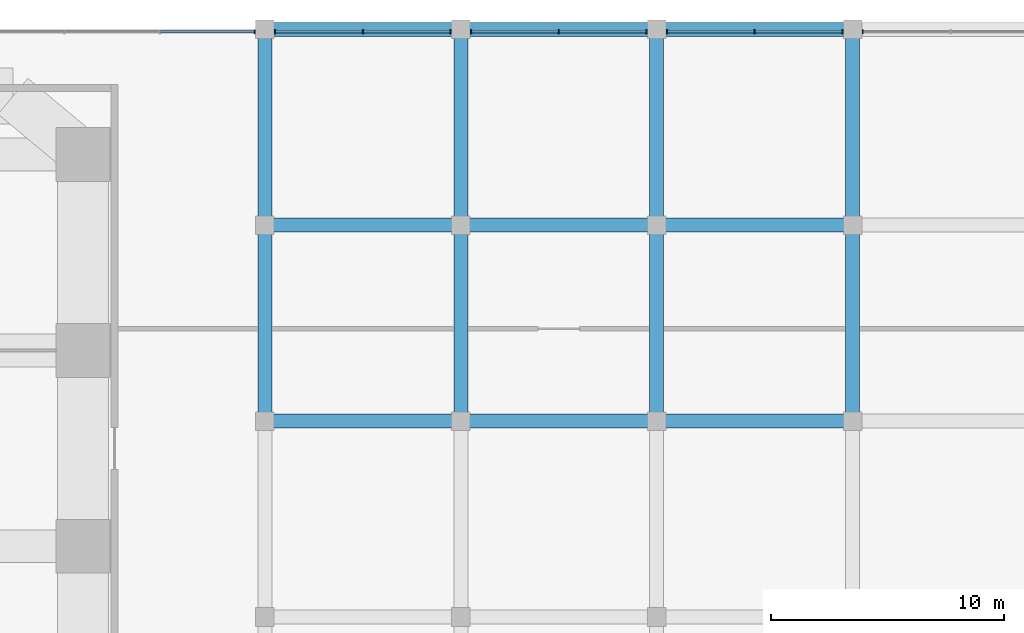
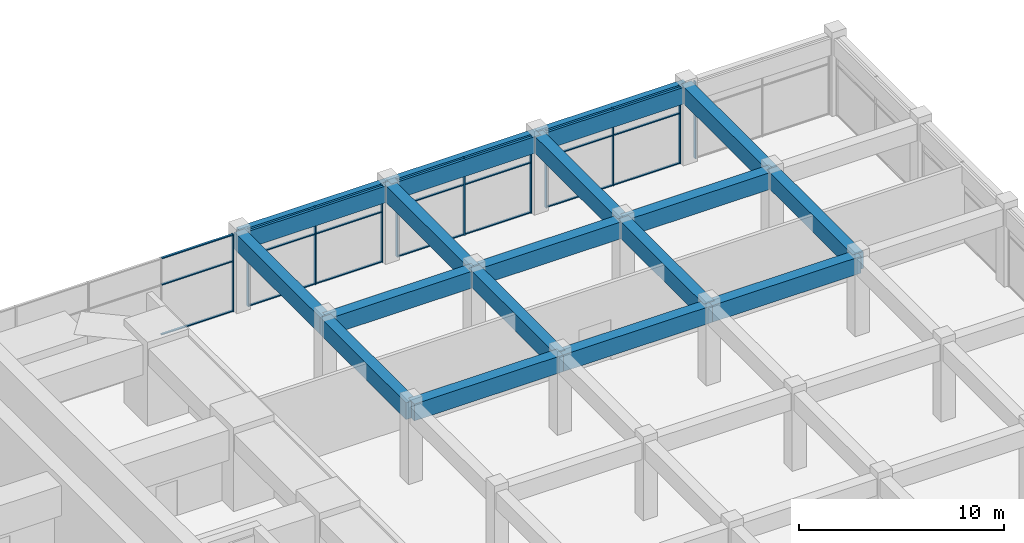
# One storey, part 21 of 33: 32 members, 17 beams, 5 elements without a shape of their own.
"""IFC4 building model written with IfcOpenShell, lengths in metres."""

from ifc_helpers import new_model, si_unit, direction, frame, origin, origin_2d, place, context, subcontext, project, spatial, rectangle, extrude, material, material_profile, profile_set, type_object, element, aggregate, save


model = new_model("IFC4")

# Units and contexts
model_context = context("Model", 3, precision=1e-05, world=origin(), true_north=direction((0.0, 1.0)))
body_context = subcontext(model_context, "Body", "Model", "MODEL_VIEW")
ifc_project = project(units=[si_unit("LENGTHUNIT", "METRE"), si_unit("AREAUNIT", "SQUARE_METRE"), si_unit("VOLUMEUNIT", "CUBIC_METRE"), si_unit("PLANEANGLEUNIT", "RADIAN"), si_unit("MASSUNIT", "GRAM", prefix="KILO")], contexts=[model_context])

# Site, building, storey
site_placement = place(None, origin())
site = spatial("IfcSite", under=ifc_project, at=site_placement, CompositionType="ELEMENT")
building_placement = place(site_placement, origin())
building = spatial("IfcBuilding", under=site, at=building_placement, Name="Impinga Residences", CompositionType="ELEMENT")
storey_placement = place(building_placement, frame((0.0, 0.0, 21.0)))
storey = spatial("IfcBuildingStorey", under=building, at=storey_placement, Name="L04", CompositionType="ELEMENT", Elevation=21.0)

# Curtain wall, member
ifc_material_1 = material(Name="Aluminium stick curtain wall", Category="aluminium")
curtain_wall_type = type_object("IfcCurtainWallType", Name="CW1 podium amenity curtain wall", PredefinedType="USERDEFINED", material=ifc_material_1)
curtain_wall_1_placement = place(storey_placement, origin())
curtain_wall_1 = element("IfcCurtainWall", 1, at=curtain_wall_1_placement, inside=storey, type_object=curtain_wall_type, Name="Curtain wall CW1 L04", ObjectType="STICK CURTAIN WALL", PredefinedType="USERDEFINED")
ifc_material_2 = material(Name="Aluminium mullion", Category="aluminium")
ifc_material_profile_1 = material_profile(ifc_material_2, rectangle(XDim=0.06005859375, YDim=0.179931640625, at=origin_2d()), Name="60x180 mullion")
ifc_profile_set_1 = profile_set([ifc_material_profile_1], Name="Aluminium mullion")
member_type_1 = type_object("IfcMemberType", Name="CW1-M mullion 60x180", PredefinedType="MULLION", material=ifc_profile_set_1)
member_1_placement = place(storey_placement, frame((16.366943359375, 50.300048828125, 0.0), z_axis=(0.0, 0.0, 1.0), x_axis=(1.0, 0.0, 0.0)))
member_1 = element("IfcMember", 2, at=member_1_placement, type_object=member_type_1, Name="CW1 mullion 9", PredefinedType="MULLION", context=body_context, shape_type="SweptSolid", body=[
    extrude(rectangle(XDim=0.06005859375, YDim=0.179931640625, at=origin_2d()), origin(), (0.0, 0.0, 1.0), 4.60009765625),
])

# Curtain wall, members
curtain_wall_2_placement = place(storey_placement, origin())
curtain_wall_2 = element("IfcCurtainWall", 3, at=curtain_wall_2_placement, inside=storey, type_object=curtain_wall_type, Name="Curtain wall CW1 L04", ObjectType="STICK CURTAIN WALL", PredefinedType="USERDEFINED")
member_2_placement = place(storey_placement, frame((17.23291015625, 50.300048828125, 0.0), z_axis=(0.0, 0.0, 1.0), x_axis=(1.0, 0.0, 0.0)))
member_2 = element("IfcMember", 4, at=member_2_placement, type_object=member_type_1, Name="CW1 mullion 1", PredefinedType="MULLION", context=body_context, shape_type="SweptSolid", body=[
    extrude(rectangle(XDim=0.06005859375, YDim=0.179931640625, at=origin_2d()), origin(), (0.0, 0.0, 1.0), 4.60009765625),
])
member_3_placement = place(storey_placement, frame((21.0, 50.300048828125, 0.0), z_axis=(0.0, 0.0, 1.0), x_axis=(1.0, 0.0, 0.0)))
member_3 = element("IfcMember", 5, at=member_3_placement, type_object=member_type_1, Name="CW1 mullion 2", PredefinedType="MULLION", context=body_context, shape_type="SweptSolid", body=[
    extrude(rectangle(XDim=0.06005859375, YDim=0.179931640625, at=origin_2d()), origin(), (0.0, 0.0, 1.0), 4.60009765625),
])
member_4_placement = place(storey_placement, frame((24.76708984375, 50.300048828125, 0.0), z_axis=(0.0, 0.0, 1.0), x_axis=(1.0, 0.0, 0.0)))
member_4 = element("IfcMember", 6, at=member_4_placement, type_object=member_type_1, Name="CW1 mullion 3", PredefinedType="MULLION", context=body_context, shape_type="SweptSolid", body=[
    extrude(rectangle(XDim=0.06005859375, YDim=0.179931640625, at=origin_2d()), origin(), (0.0, 0.0, 1.0), 4.60009765625),
])

curtain_wall_3_placement = place(storey_placement, origin())
curtain_wall_3 = element("IfcCurtainWall", 7, at=curtain_wall_3_placement, inside=storey, type_object=curtain_wall_type, Name="Curtain wall CW1 L04", ObjectType="STICK CURTAIN WALL", PredefinedType="USERDEFINED")
member_5_placement = place(storey_placement, frame((25.633056640625, 50.300048828125, 0.0), z_axis=(0.0, 0.0, 1.0), x_axis=(1.0, 0.0, 0.0)))
member_5 = element("IfcMember", 8, at=member_5_placement, type_object=member_type_1, Name="CW1 mullion 1", PredefinedType="MULLION", context=body_context, shape_type="SweptSolid", body=[
    extrude(rectangle(XDim=0.06005859375, YDim=0.179931640625, at=origin_2d()), origin(), (0.0, 0.0, 1.0), 4.60009765625),
])
member_6_placement = place(storey_placement, frame((29.39990234375, 50.300048828125, 0.0), z_axis=(0.0, 0.0, 1.0), x_axis=(1.0, 0.0, 0.0)))
member_6 = element("IfcMember", 9, at=member_6_placement, type_object=member_type_1, Name="CW1 mullion 2", PredefinedType="MULLION", context=body_context, shape_type="SweptSolid", body=[
    extrude(rectangle(XDim=0.06005859375, YDim=0.179931640625, at=origin_2d()), origin(), (0.0, 0.0, 1.0), 4.60009765625),
])
member_7_placement = place(storey_placement, frame((33.1669921875, 50.300048828125, 0.0), z_axis=(0.0, 0.0, 1.0), x_axis=(1.0, 0.0, 0.0)))
member_7 = element("IfcMember", 10, at=member_7_placement, type_object=member_type_1, Name="CW1 mullion 3", PredefinedType="MULLION", context=body_context, shape_type="SweptSolid", body=[
    extrude(rectangle(XDim=0.06005859375, YDim=0.179931640625, at=origin_2d()), origin(), (0.0, 0.0, 1.0), 4.60009765625),
])

curtain_wall_4_placement = place(storey_placement, origin())
curtain_wall_4 = element("IfcCurtainWall", 11, at=curtain_wall_4_placement, inside=storey, type_object=curtain_wall_type, Name="Curtain wall CW1 L04", ObjectType="STICK CURTAIN WALL", PredefinedType="USERDEFINED")
member_8_placement = place(storey_placement, frame((34.032958984375, 50.300048828125, 0.0), z_axis=(0.0, 0.0, 1.0), x_axis=(1.0, 0.0, 0.0)))
member_8 = element("IfcMember", 12, at=member_8_placement, type_object=member_type_1, Name="CW1 mullion 1", PredefinedType="MULLION", context=body_context, shape_type="SweptSolid", body=[
    extrude(rectangle(XDim=0.06005859375, YDim=0.179931640625, at=origin_2d()), origin(), (0.0, 0.0, 1.0), 4.60009765625),
])
member_9_placement = place(storey_placement, frame((37.800048828125, 50.300048828125, 0.0), z_axis=(0.0, 0.0, 1.0), x_axis=(1.0, 0.0, 0.0)))
member_9 = element("IfcMember", 13, at=member_9_placement, type_object=member_type_1, Name="CW1 mullion 2", PredefinedType="MULLION", context=body_context, shape_type="SweptSolid", body=[
    extrude(rectangle(XDim=0.06005859375, YDim=0.179931640625, at=origin_2d()), origin(), (0.0, 0.0, 1.0), 4.60009765625),
])
member_10_placement = place(storey_placement, frame((41.56689453125, 50.300048828125, 0.0), z_axis=(0.0, 0.0, 1.0), x_axis=(1.0, 0.0, 0.0)))
member_10 = element("IfcMember", 14, at=member_10_placement, type_object=member_type_1, Name="CW1 mullion 3", PredefinedType="MULLION", context=body_context, shape_type="SweptSolid", body=[
    extrude(rectangle(XDim=0.06005859375, YDim=0.179931640625, at=origin_2d()), origin(), (0.0, 0.0, 1.0), 4.60009765625),
])

# Curtain wall, member
curtain_wall_5_placement = place(storey_placement, origin())
curtain_wall_5 = element("IfcCurtainWall", 15, at=curtain_wall_5_placement, inside=storey, type_object=curtain_wall_type, Name="Curtain wall CW1 L04", ObjectType="STICK CURTAIN WALL", PredefinedType="USERDEFINED")
member_11_placement = place(storey_placement, frame((42.43310546875, 50.300048828125, 0.0), z_axis=(0.0, 0.0, 1.0), x_axis=(1.0, 0.0, 0.0)))
member_11 = element("IfcMember", 16, at=member_11_placement, type_object=member_type_1, Name="CW1 mullion 1", PredefinedType="MULLION", context=body_context, shape_type="SweptSolid", body=[
    extrude(rectangle(XDim=0.06005859375, YDim=0.179931640625, at=origin_2d()), origin(), (0.0, 0.0, 1.0), 4.60009765625),
])
aggregate(curtain_wall_5, [member_11])

# Member
ifc_material_3 = material(Name="Aluminium transom", Category="aluminium")
ifc_material_profile_2 = material_profile(ifc_material_3, rectangle(XDim=0.06005859375, YDim=0.1201171875, at=origin_2d()), Name="60x120 transom")
ifc_profile_set_2 = profile_set([ifc_material_profile_2], Name="Aluminium transom")
member_type_2 = type_object("IfcMemberType", Name="CW1-T transom 60x120", PredefinedType="USERDEFINED", material=ifc_profile_set_2)
member_12_placement = place(storey_placement, frame((12.32763671875, 50.300048828125, 0.030029296875), z_axis=(1.0, 0.0, 0.0), x_axis=(0.0, 0.0, 1.0)))
member_12 = element("IfcMember", 17, at=member_12_placement, type_object=member_type_2, Name="CW1 transom 8.1", ObjectType="TRANSOM", PredefinedType="USERDEFINED", context=body_context, shape_type="SweptSolid", body=[
    extrude(rectangle(XDim=0.06005859375, YDim=0.1201171875, at=origin_2d()), origin(), (0.0, 0.0, 1.0), 4.00927734375),
])

member_13_placement = place(storey_placement, frame((12.32763671875, 50.300048828125, 3.0), z_axis=(1.0, 0.0, 0.0), x_axis=(0.0, 0.0, 1.0)))
member_13 = element("IfcMember", 18, at=member_13_placement, type_object=member_type_2, Name="CW1 transom 8.2", ObjectType="TRANSOM", PredefinedType="USERDEFINED", context=body_context, shape_type="SweptSolid", body=[
    extrude(rectangle(XDim=0.06005859375, YDim=0.1201171875, at=origin_2d()), origin(), (0.0, 0.0, 1.0), 4.00927734375),
])

member_14_placement = place(storey_placement, frame((12.32763671875, 50.300048828125, 4.570068359375), z_axis=(1.0, 0.0, 0.0), x_axis=(0.0, 0.0, 1.0)))
member_14 = element("IfcMember", 19, at=member_14_placement, type_object=member_type_2, Name="CW1 transom 8.3", ObjectType="TRANSOM", PredefinedType="USERDEFINED", context=body_context, shape_type="SweptSolid", body=[
    extrude(rectangle(XDim=0.06005859375, YDim=0.1201171875, at=origin_2d()), origin(), (0.0, 0.0, 1.0), 4.00927734375),
])

aggregate(curtain_wall_1, [member_1, member_12, member_13, member_14])

member_15_placement = place(storey_placement, frame((17.262939453125, 50.300048828125, 0.030029296875), z_axis=(1.0, 0.0, 0.0), x_axis=(0.0, 0.0, 1.0)))
member_15 = element("IfcMember", 20, at=member_15_placement, type_object=member_type_2, Name="CW1 transom 1.1", ObjectType="TRANSOM", PredefinedType="USERDEFINED", context=body_context, shape_type="SweptSolid", body=[
    extrude(rectangle(XDim=0.06005859375, YDim=0.1201171875, at=origin_2d()), origin(), (0.0, 0.0, 1.0), 3.70703125),
])

member_16_placement = place(storey_placement, frame((17.262939453125, 50.300048828125, 3.0), z_axis=(1.0, 0.0, 0.0), x_axis=(0.0, 0.0, 1.0)))
member_16 = element("IfcMember", 21, at=member_16_placement, type_object=member_type_2, Name="CW1 transom 1.2", ObjectType="TRANSOM", PredefinedType="USERDEFINED", context=body_context, shape_type="SweptSolid", body=[
    extrude(rectangle(XDim=0.06005859375, YDim=0.1201171875, at=origin_2d()), origin(), (0.0, 0.0, 1.0), 3.70703125),
])

member_17_placement = place(storey_placement, frame((17.262939453125, 50.300048828125, 4.570068359375), z_axis=(1.0, 0.0, 0.0), x_axis=(0.0, 0.0, 1.0)))
member_17 = element("IfcMember", 22, at=member_17_placement, type_object=member_type_2, Name="CW1 transom 1.3", ObjectType="TRANSOM", PredefinedType="USERDEFINED", context=body_context, shape_type="SweptSolid", body=[
    extrude(rectangle(XDim=0.06005859375, YDim=0.1201171875, at=origin_2d()), origin(), (0.0, 0.0, 1.0), 3.70703125),
])

member_18_placement = place(storey_placement, frame((21.030029296875, 50.300048828125, 0.030029296875), z_axis=(1.0, 0.0, 0.0), x_axis=(0.0, 0.0, 1.0)))
member_18 = element("IfcMember", 23, at=member_18_placement, type_object=member_type_2, Name="CW1 transom 2.1", ObjectType="TRANSOM", PredefinedType="USERDEFINED", context=body_context, shape_type="SweptSolid", body=[
    extrude(rectangle(XDim=0.06005859375, YDim=0.1201171875, at=origin_2d()), origin(), (0.0, 0.0, 1.0), 3.70703125),
])

member_19_placement = place(storey_placement, frame((21.030029296875, 50.300048828125, 3.0), z_axis=(1.0, 0.0, 0.0), x_axis=(0.0, 0.0, 1.0)))
member_19 = element("IfcMember", 24, at=member_19_placement, type_object=member_type_2, Name="CW1 transom 2.2", ObjectType="TRANSOM", PredefinedType="USERDEFINED", context=body_context, shape_type="SweptSolid", body=[
    extrude(rectangle(XDim=0.06005859375, YDim=0.1201171875, at=origin_2d()), origin(), (0.0, 0.0, 1.0), 3.70703125),
])

member_20_placement = place(storey_placement, frame((21.030029296875, 50.300048828125, 4.570068359375), z_axis=(1.0, 0.0, 0.0), x_axis=(0.0, 0.0, 1.0)))
member_20 = element("IfcMember", 25, at=member_20_placement, type_object=member_type_2, Name="CW1 transom 2.3", ObjectType="TRANSOM", PredefinedType="USERDEFINED", context=body_context, shape_type="SweptSolid", body=[
    extrude(rectangle(XDim=0.06005859375, YDim=0.1201171875, at=origin_2d()), origin(), (0.0, 0.0, 1.0), 3.70703125),
])

aggregate(curtain_wall_2, [member_2, member_3, member_4, member_15, member_16, member_17, member_18, member_19, member_20])

member_21_placement = place(storey_placement, frame((25.6630859375, 50.300048828125, 0.030029296875), z_axis=(1.0, 0.0, 0.0), x_axis=(0.0, 0.0, 1.0)))
member_21 = element("IfcMember", 26, at=member_21_placement, type_object=member_type_2, Name="CW1 transom 1.1", ObjectType="TRANSOM", PredefinedType="USERDEFINED", context=body_context, shape_type="SweptSolid", body=[
    extrude(rectangle(XDim=0.06005859375, YDim=0.1201171875, at=origin_2d()), origin(), (0.0, 0.0, 1.0), 3.70703125),
])

member_22_placement = place(storey_placement, frame((25.6630859375, 50.300048828125, 3.0), z_axis=(1.0, 0.0, 0.0), x_axis=(0.0, 0.0, 1.0)))
member_22 = element("IfcMember", 27, at=member_22_placement, type_object=member_type_2, Name="CW1 transom 1.2", ObjectType="TRANSOM", PredefinedType="USERDEFINED", context=body_context, shape_type="SweptSolid", body=[
    extrude(rectangle(XDim=0.06005859375, YDim=0.1201171875, at=origin_2d()), origin(), (0.0, 0.0, 1.0), 3.70703125),
])

member_23_placement = place(storey_placement, frame((25.6630859375, 50.300048828125, 4.570068359375), z_axis=(1.0, 0.0, 0.0), x_axis=(0.0, 0.0, 1.0)))
member_23 = element("IfcMember", 28, at=member_23_placement, type_object=member_type_2, Name="CW1 transom 1.3", ObjectType="TRANSOM", PredefinedType="USERDEFINED", context=body_context, shape_type="SweptSolid", body=[
    extrude(rectangle(XDim=0.06005859375, YDim=0.1201171875, at=origin_2d()), origin(), (0.0, 0.0, 1.0), 3.70703125),
])

member_24_placement = place(storey_placement, frame((29.429931640625, 50.300048828125, 0.030029296875), z_axis=(1.0, 0.0, 0.0), x_axis=(0.0, 0.0, 1.0)))
member_24 = element("IfcMember", 29, at=member_24_placement, type_object=member_type_2, Name="CW1 transom 2.1", ObjectType="TRANSOM", PredefinedType="USERDEFINED", context=body_context, shape_type="SweptSolid", body=[
    extrude(rectangle(XDim=0.06005859375, YDim=0.1201171875, at=origin_2d()), origin(), (0.0, 0.0, 1.0), 3.70703125),
])

member_25_placement = place(storey_placement, frame((29.429931640625, 50.300048828125, 3.0), z_axis=(1.0, 0.0, 0.0), x_axis=(0.0, 0.0, 1.0)))
member_25 = element("IfcMember", 30, at=member_25_placement, type_object=member_type_2, Name="CW1 transom 2.2", ObjectType="TRANSOM", PredefinedType="USERDEFINED", context=body_context, shape_type="SweptSolid", body=[
    extrude(rectangle(XDim=0.06005859375, YDim=0.1201171875, at=origin_2d()), origin(), (0.0, 0.0, 1.0), 3.70703125),
])

member_26_placement = place(storey_placement, frame((29.429931640625, 50.300048828125, 4.570068359375), z_axis=(1.0, 0.0, 0.0), x_axis=(0.0, 0.0, 1.0)))
member_26 = element("IfcMember", 31, at=member_26_placement, type_object=member_type_2, Name="CW1 transom 2.3", ObjectType="TRANSOM", PredefinedType="USERDEFINED", context=body_context, shape_type="SweptSolid", body=[
    extrude(rectangle(XDim=0.06005859375, YDim=0.1201171875, at=origin_2d()), origin(), (0.0, 0.0, 1.0), 3.70703125),
])

aggregate(curtain_wall_3, [member_5, member_6, member_7, member_21, member_22, member_23, member_24, member_25, member_26])

member_27_placement = place(storey_placement, frame((34.06298828125, 50.300048828125, 0.030029296875), z_axis=(1.0, 0.0, 0.0), x_axis=(0.0, 0.0, 1.0)))
member_27 = element("IfcMember", 32, at=member_27_placement, type_object=member_type_2, Name="CW1 transom 1.1", ObjectType="TRANSOM", PredefinedType="USERDEFINED", context=body_context, shape_type="SweptSolid", body=[
    extrude(rectangle(XDim=0.06005859375, YDim=0.1201171875, at=origin_2d()), origin(), (0.0, 0.0, 1.0), 3.70703125),
])

member_28_placement = place(storey_placement, frame((34.06298828125, 50.300048828125, 3.0), z_axis=(1.0, 0.0, 0.0), x_axis=(0.0, 0.0, 1.0)))
member_28 = element("IfcMember", 33, at=member_28_placement, type_object=member_type_2, Name="CW1 transom 1.2", ObjectType="TRANSOM", PredefinedType="USERDEFINED", context=body_context, shape_type="SweptSolid", body=[
    extrude(rectangle(XDim=0.06005859375, YDim=0.1201171875, at=origin_2d()), origin(), (0.0, 0.0, 1.0), 3.70703125),
])

member_29_placement = place(storey_placement, frame((34.06298828125, 50.300048828125, 4.570068359375), z_axis=(1.0, 0.0, 0.0), x_axis=(0.0, 0.0, 1.0)))
member_29 = element("IfcMember", 34, at=member_29_placement, type_object=member_type_2, Name="CW1 transom 1.3", ObjectType="TRANSOM", PredefinedType="USERDEFINED", context=body_context, shape_type="SweptSolid", body=[
    extrude(rectangle(XDim=0.06005859375, YDim=0.1201171875, at=origin_2d()), origin(), (0.0, 0.0, 1.0), 3.70703125),
])

member_30_placement = place(storey_placement, frame((37.830078125, 50.300048828125, 0.030029296875), z_axis=(1.0, 0.0, 0.0), x_axis=(0.0, 0.0, 1.0)))
member_30 = element("IfcMember", 35, at=member_30_placement, type_object=member_type_2, Name="CW1 transom 2.1", ObjectType="TRANSOM", PredefinedType="USERDEFINED", context=body_context, shape_type="SweptSolid", body=[
    extrude(rectangle(XDim=0.06005859375, YDim=0.1201171875, at=origin_2d()), origin(), (0.0, 0.0, 1.0), 3.70703125),
])

member_31_placement = place(storey_placement, frame((37.830078125, 50.300048828125, 3.0), z_axis=(1.0, 0.0, 0.0), x_axis=(0.0, 0.0, 1.0)))
member_31 = element("IfcMember", 36, at=member_31_placement, type_object=member_type_2, Name="CW1 transom 2.2", ObjectType="TRANSOM", PredefinedType="USERDEFINED", context=body_context, shape_type="SweptSolid", body=[
    extrude(rectangle(XDim=0.06005859375, YDim=0.1201171875, at=origin_2d()), origin(), (0.0, 0.0, 1.0), 3.70703125),
])

member_32_placement = place(storey_placement, frame((37.830078125, 50.300048828125, 4.570068359375), z_axis=(1.0, 0.0, 0.0), x_axis=(0.0, 0.0, 1.0)))
member_32 = element("IfcMember", 37, at=member_32_placement, type_object=member_type_2, Name="CW1 transom 2.3", ObjectType="TRANSOM", PredefinedType="USERDEFINED", context=body_context, shape_type="SweptSolid", body=[
    extrude(rectangle(XDim=0.06005859375, YDim=0.1201171875, at=origin_2d()), origin(), (0.0, 0.0, 1.0), 3.70703125),
])

aggregate(curtain_wall_4, [member_8, member_9, member_10, member_27, member_28, member_29, member_30, member_31, member_32])

# Beams
ifc_material_4 = material(Name="Concrete C60/75", Category="concrete")
ifc_material_profile_3 = material_profile(ifc_material_4, rectangle(XDim=0.60009765625, YDim=1.0, at=origin_2d()), Name="RC 600x1000")
ifc_profile_set_3 = profile_set([ifc_material_profile_3], Name="Concrete C60/75")
beam_type = type_object("IfcBeamType", Name="PB2 600x1000 podium beam", PredefinedType="BEAM", material=ifc_profile_set_3)
beam_1_placement = place(storey_placement, frame((16.800048828125, 33.60009765625, 4.10009765625), z_axis=(1.0, 0.0, 0.0), x_axis=(0.0, 1.0, 0.0)))
element("IfcBeam", 38, at=beam_1_placement, inside=storey, type_object=beam_type, Name="Beam PB2 K/9-10 level L05", PredefinedType="BEAM", context=body_context, shape_type="SweptSolid", body=[
    extrude(rectangle(XDim=0.60009765625, YDim=1.0, at=origin_2d()), origin(), (0.0, 0.0, 1.0), 8.39990234375),
])
beam_2_placement = place(storey_placement, frame((25.199951171875, 33.60009765625, 4.10009765625), z_axis=(1.0, 0.0, 0.0), x_axis=(0.0, 1.0, 0.0)))
element("IfcBeam", 39, at=beam_2_placement, inside=storey, type_object=beam_type, Name="Beam PB2 K/10-11 level L05", PredefinedType="BEAM", context=body_context, shape_type="SweptSolid", body=[
    extrude(rectangle(XDim=0.60009765625, YDim=1.0, at=origin_2d()), origin(), (0.0, 0.0, 1.0), 8.400146484375),
])
for number, where, z_axis, x_axis, name in (
    (40, (33.60009765625, 33.60009765625, 4.10009765625), (1.0, 0.0, 0.0), (0.0, 1.0, 0.0), "Beam PB2 K/11-12 level L05"),
    (41, (16.800048828125, 42.0, 4.10009765625), (1.0, 0.0, 0.0), (0.0, 1.0, 0.0), "Beam PB2 L/9-10 level L05"),
):
    element("IfcBeam", number, at=place(storey_placement, frame(where, z_axis=z_axis, x_axis=x_axis)), inside=storey, type_object=beam_type, Name=name, PredefinedType="BEAM", context=body_context, shape_type="SweptSolid", body=[
        extrude(rectangle(XDim=0.60009765625, YDim=1.0, at=origin_2d()), origin(), (0.0, 0.0, 1.0), 8.39990234375),
    ])
beam_3_placement = place(storey_placement, frame((25.199951171875, 42.0, 4.10009765625), z_axis=(1.0, 0.0, 0.0), x_axis=(0.0, 1.0, 0.0)))
element("IfcBeam", 42, at=beam_3_placement, inside=storey, type_object=beam_type, Name="Beam PB2 L/10-11 level L05", PredefinedType="BEAM", context=body_context, shape_type="SweptSolid", body=[
    extrude(rectangle(XDim=0.60009765625, YDim=1.0, at=origin_2d()), origin(), (0.0, 0.0, 1.0), 8.400146484375),
])
for number, where, z_axis, x_axis, name in (
    (43, (33.60009765625, 42.0, 4.10009765625), (1.0, 0.0, 0.0), (0.0, 1.0, 0.0), "Beam PB2 L/11-12 level L05"),
    (44, (16.800048828125, 50.39990234375, 4.10009765625), (1.0, 0.0, 0.0), (0.0, 1.0, 0.0), "Beam PB2 M/9-10 level L05"),
):
    element("IfcBeam", number, at=place(storey_placement, frame(where, z_axis=z_axis, x_axis=x_axis)), inside=storey, type_object=beam_type, Name=name, PredefinedType="BEAM", context=body_context, shape_type="SweptSolid", body=[
        extrude(rectangle(XDim=0.60009765625, YDim=1.0, at=origin_2d()), origin(), (0.0, 0.0, 1.0), 8.39990234375),
    ])
beam_4_placement = place(storey_placement, frame((25.199951171875, 50.39990234375, 4.10009765625), z_axis=(1.0, 0.0, 0.0), x_axis=(0.0, 1.0, 0.0)))
element("IfcBeam", 45, at=beam_4_placement, inside=storey, type_object=beam_type, Name="Beam PB2 M/10-11 level L05", PredefinedType="BEAM", context=body_context, shape_type="SweptSolid", body=[
    extrude(rectangle(XDim=0.60009765625, YDim=1.0, at=origin_2d()), origin(), (0.0, 0.0, 1.0), 8.400146484375),
])
for number, where, z_axis, x_axis, name in (
    (46, (33.60009765625, 50.39990234375, 4.10009765625), (1.0, 0.0, 0.0), (0.0, 1.0, 0.0), "Beam PB2 M/11-12 level L05"),
    (47, (16.800048828125, 33.60009765625, 4.10009765625), (0.0, 1.0, 0.0), (-1.0, 0.0, 0.0), "Beam PB2 9/K-L level L05"),
    (48, (16.800048828125, 42.0, 4.10009765625), (0.0, 1.0, 0.0), (-1.0, 0.0, 0.0), "Beam PB2 9/L-M level L05"),
    (49, (25.199951171875, 33.60009765625, 4.10009765625), (0.0, 1.0, 0.0), (-1.0, 0.0, 0.0), "Beam PB2 10/K-L level L05"),
    (50, (25.199951171875, 42.0, 4.10009765625), (0.0, 1.0, 0.0), (-1.0, 0.0, 0.0), "Beam PB2 10/L-M level L05"),
    (51, (33.60009765625, 33.60009765625, 4.10009765625), (0.0, 1.0, 0.0), (-1.0, 0.0, 0.0), "Beam PB2 11/K-L level L05"),
    (52, (33.60009765625, 42.0, 4.10009765625), (0.0, 1.0, 0.0), (-1.0, 0.0, 0.0), "Beam PB2 11/L-M level L05"),
    (53, (42.0, 33.60009765625, 4.10009765625), (0.0, 1.0, 0.0), (-1.0, 0.0, 0.0), "Beam PB2 12/K-L level L05"),
    (54, (42.0, 42.0, 4.10009765625), (0.0, 1.0, 0.0), (-1.0, 0.0, 0.0), "Beam PB2 12/L-M level L05"),
):
    element("IfcBeam", number, at=place(storey_placement, frame(where, z_axis=z_axis, x_axis=x_axis)), inside=storey, type_object=beam_type, Name=name, PredefinedType="BEAM", context=body_context, shape_type="SweptSolid", body=[
        extrude(rectangle(XDim=0.60009765625, YDim=1.0, at=origin_2d()), origin(), (0.0, 0.0, 1.0), 8.39990234375),
    ])

save(model, "model.ifc")
